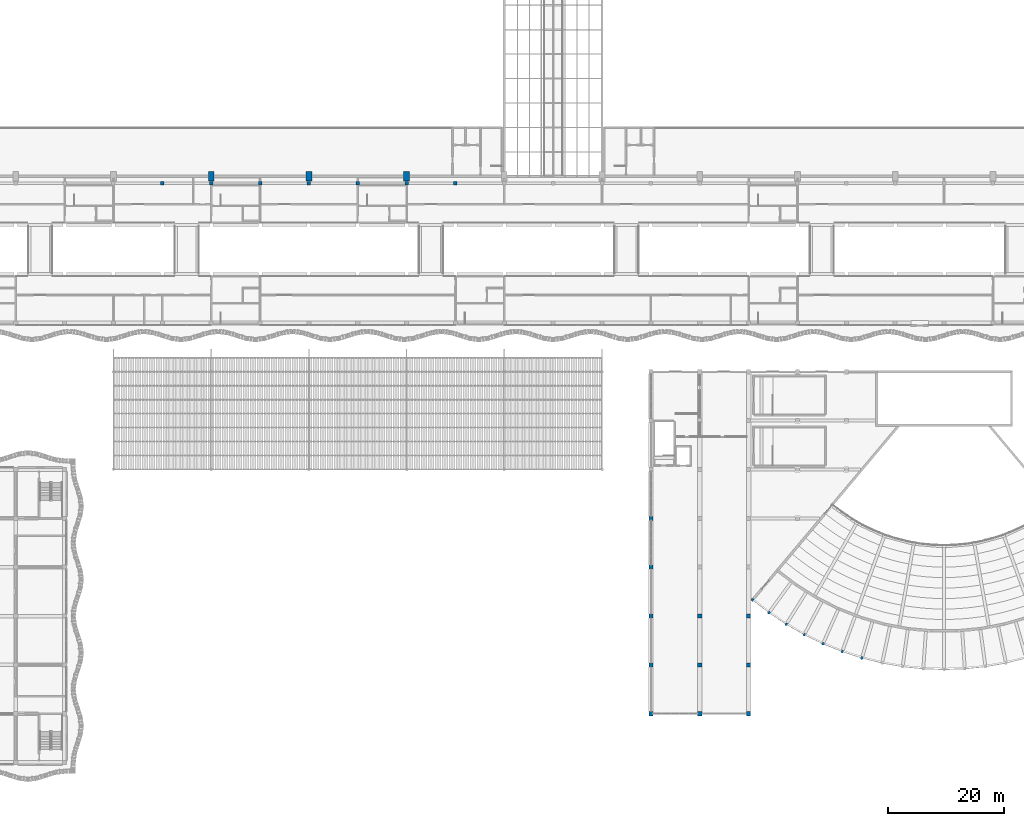
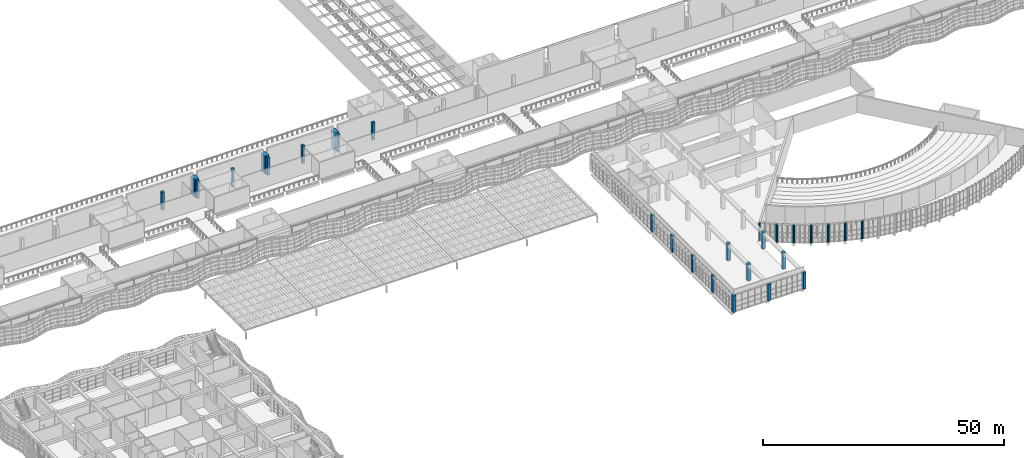
# One storey, part 9 of 162: 28 columns.
"""IFC4 building model written with IfcOpenShell, lengths in metres."""

from ifc_helpers import new_model, si_unit, direction, frame, origin, origin_2d, place, context, subcontext, project, spatial, rectangle, circle, extrude, material, material_profile, profile_set, type_object, element, save


model = new_model("IFC4")

# Units and contexts
model_context = context("Model", 3, precision=1e-05, world=origin(), true_north=direction((0.0, 1.0)))
body_context = subcontext(model_context, "Body", "Model", "MODEL_VIEW")
ifc_project = project(units=[si_unit("LENGTHUNIT", "METRE"), si_unit("AREAUNIT", "SQUARE_METRE"), si_unit("VOLUMEUNIT", "CUBIC_METRE"), si_unit("PLANEANGLEUNIT", "RADIAN"), si_unit("MASSUNIT", "GRAM", prefix="KILO")], contexts=[model_context])

# Site, building, storey
site_placement = place(None, origin())
site = spatial("IfcSite", under=ifc_project, at=site_placement, CompositionType="ELEMENT")
building_placement = place(site_placement, origin())
building = spatial("IfcBuilding", under=site, at=building_placement, Name="Rain Tree Exposition and Congress Centre", CompositionType="ELEMENT")
storey_placement = place(building_placement, frame((0.0, 0.0, 6.0)))
storey = spatial("IfcBuildingStorey", under=building, at=storey_placement, Name="L01", CompositionType="ELEMENT", Elevation=6.0)

# Columns
ifc_material_1 = material(Name="Precast concrete C50/60", Category="concrete")
ifc_material_profile_1 = material_profile(ifc_material_1, rectangle(XDim=1.0, YDim=1.60009765625, at=origin_2d()), Name="RC 1000x1600")
ifc_profile_set_1 = profile_set([ifc_material_profile_1], Name="Precast concrete C50/60")
column_type_1 = type_object("IfcColumnType", Name="Precast column 1000x1600", PredefinedType="COLUMN", material=ifc_profile_set_1)
for number, where, z_axis, x_axis, name in (
    (1, (75.60009765625, 100.800048828125, 0.0), (0.0, 0.0, 1.0), (1.0, 0.0, 0.0), "Expressed column 5"),
    (2, (92.39990234375, 100.800048828125, 0.0), (0.0, 0.0, 1.0), (1.0, 0.0, 0.0), "Expressed column 6"),
    (3, (109.199951171875, 100.800048828125, 0.0), (0.0, 0.0, 1.0), (1.0, 0.0, 0.0), "Expressed column 7"),
):
    element("IfcColumn", number, at=place(storey_placement, frame(where, z_axis=z_axis, x_axis=x_axis)), inside=storey, type_object=column_type_1, Name=name, PredefinedType="COLUMN", context=body_context, shape_type="SweptSolid", body=[
        extrude(rectangle(XDim=1.0, YDim=1.60009765625, at=origin_2d()), origin(), (0.0, 0.0, 1.0), 4.5),
    ])
ifc_material_2 = material(Name="Precast concrete C50/60", Category="concrete")
ifc_material_profile_2 = material_profile(ifc_material_2, rectangle(XDim=0.60009765625, YDim=0.60009765625, at=origin_2d()), Name="RC 600x600")
ifc_profile_set_2 = profile_set([ifc_material_profile_2], Name="Precast concrete C50/60")
column_type_2 = type_object("IfcColumnType", Name="Precast column 600x600", PredefinedType="COLUMN", material=ifc_profile_set_2)
for number, where, z_axis, x_axis, name in (
    (4, (67.199951171875, 99.60009765625, 0.0), (0.0, 0.0, 1.0), (1.0, 0.0, 0.0), "Concourse column L01 B9"),
    (5, (75.60009765625, 99.60009765625, 0.0), (0.0, 0.0, 1.0), (1.0, 0.0, 0.0), "Concourse column L01 B10"),
    (6, (84.0, 99.60009765625, 0.0), (0.0, 0.0, 1.0), (1.0, 0.0, 0.0), "Concourse column L01 B11"),
    (7, (92.39990234375, 99.60009765625, 0.0), (0.0, 0.0, 1.0), (1.0, 0.0, 0.0), "Concourse column L01 B12"),
    (8, (100.800048828125, 99.60009765625, 0.0), (0.0, 0.0, 1.0), (1.0, 0.0, 0.0), "Concourse column L01 B13"),
    (9, (109.199951171875, 99.60009765625, 0.0), (0.0, 0.0, 1.0), (1.0, 0.0, 0.0), "Concourse column L01 B14"),
    (10, (117.60009765625, 99.60009765625, 0.0), (0.0, 0.0, 1.0), (1.0, 0.0, 0.0), "Concourse column L01 B15"),
):
    element("IfcColumn", number, at=place(storey_placement, frame(where, z_axis=z_axis, x_axis=x_axis)), inside=storey, type_object=column_type_2, Name=name, PredefinedType="COLUMN", context=body_context, shape_type="SweptSolid", body=[
        extrude(rectangle(XDim=0.60009765625, YDim=0.60009765625, at=origin_2d()), origin(), (0.0, 0.0, 1.0), 4.5),
    ])
ifc_material_3 = material(Name="Precast concrete C50/60", Category="concrete")
ifc_material_profile_3 = material_profile(ifc_material_3, rectangle(XDim=0.699951171875, YDim=0.699951171875, at=origin_2d()), Name="RC 700x700")
ifc_profile_set_3 = profile_set([ifc_material_profile_3], Name="Precast concrete C50/60")
column_type_3 = type_object("IfcColumnType", Name="Precast column 700x700", PredefinedType="COLUMN", material=ifc_profile_set_3)
for number, where, z_axis, x_axis, name in (
    (11, (151.199951171875, 8.39990234375, 0.0), (0.0, 0.0, 1.0), (1.0, 0.0, 0.0), "CF151.2-8.4"),
    (12, (151.199951171875, 16.800048828125, 0.0), (0.0, 0.0, 1.0), (1.0, 0.0, 0.0), "CF151.2-16.8"),
    (13, (151.199951171875, 25.199951171875, 0.0), (0.0, 0.0, 1.0), (1.0, 0.0, 0.0), "CF151.2-25.2"),
    (14, (151.199951171875, 33.60009765625, 0.0), (0.0, 0.0, 1.0), (1.0, 0.0, 0.0), "CF151.2-33.6"),
    (15, (151.199951171875, 42.0, 0.0), (0.0, 0.0, 1.0), (1.0, 0.0, 0.0), "CF151.2-42"),
    (16, (159.60009765625, 8.39990234375, 0.0), (0.0, 0.0, 1.0), (1.0, 0.0, 0.0), "CF159.6-8.4"),
    (17, (159.60009765625, 16.800048828125, 0.0), (0.0, 0.0, 1.0), (1.0, 0.0, 0.0), "CF159.6-16.8"),
    (18, (159.60009765625, 25.199951171875, 0.0), (0.0, 0.0, 1.0), (1.0, 0.0, 0.0), "CF159.6-25.2"),
    (19, (168.0, 8.39990234375, 0.0), (0.0, 0.0, 1.0), (1.0, 0.0, 0.0), "CF168-8.4"),
    (20, (168.0, 16.800048828125, 0.0), (0.0, 0.0, 1.0), (1.0, 0.0, 0.0), "CF168-16.8"),
    (21, (168.0, 25.199951171875, 0.0), (0.0, 0.0, 1.0), (1.0, 0.0, 0.0), "CF168-25.2"),
):
    element("IfcColumn", number, at=place(storey_placement, frame(where, z_axis=z_axis, x_axis=x_axis)), inside=storey, type_object=column_type_3, Name=name, PredefinedType="COLUMN", context=body_context, shape_type="SweptSolid", body=[
        extrude(rectangle(XDim=0.699951171875, YDim=0.699951171875, at=origin_2d()), origin(), (0.0, 0.0, 1.0), 4.199951171875),
    ])
ifc_material_4 = material(Name="Precast concrete C50/60", Category="concrete")
ifc_material_profile_4 = material_profile(ifc_material_4, circle(Radius=0.25, at=origin_2d()), Name="RC D500")
ifc_profile_set_4 = profile_set([ifc_material_profile_4], Name="Precast concrete C50/60")
column_type_4 = type_object("IfcColumnType", Name="Precast round column 500", PredefinedType="COLUMN", material=ifc_profile_set_4)
for number, where, z_axis, x_axis, name in (
    (22, (168.689208984375, 27.978515625, 0.0), (0.0, 0.0, 1.0), (1.0, 0.0, 0.0), "CA1"),
    (23, (171.50537109375, 25.7783203125, 0.0), (0.0, 0.0, 1.0), (1.0, 0.0, 0.0), "CA2"),
    (24, (174.468017578125, 23.77978515625, 0.0), (0.0, 0.0, 1.0), (1.0, 0.0, 0.0), "CA3"),
    (25, (177.56298828125, 21.9931640625, 0.0), (0.0, 0.0, 1.0), (1.0, 0.0, 0.0), "CA4"),
    (26, (180.775146484375, 20.426513671875, 0.0), (0.0, 0.0, 1.0), (1.0, 0.0, 0.0), "CA5"),
    (27, (184.088623046875, 19.087646484375, 0.0), (0.0, 0.0, 1.0), (1.0, 0.0, 0.0), "CA6"),
    (28, (187.4873046875, 17.9833984375, 0.0), (0.0, 0.0, 1.0), (1.0, 0.0, 0.0), "CA7"),
):
    element("IfcColumn", number, at=place(storey_placement, frame(where, z_axis=z_axis, x_axis=x_axis)), inside=storey, type_object=column_type_4, Name=name, PredefinedType="COLUMN", context=body_context, shape_type="SweptSolid", body=[
        extrude(circle(Radius=0.25, at=origin_2d()), origin(), (0.0, 0.0, 1.0), 4.5),
    ])

save(model, "model.ifc")
